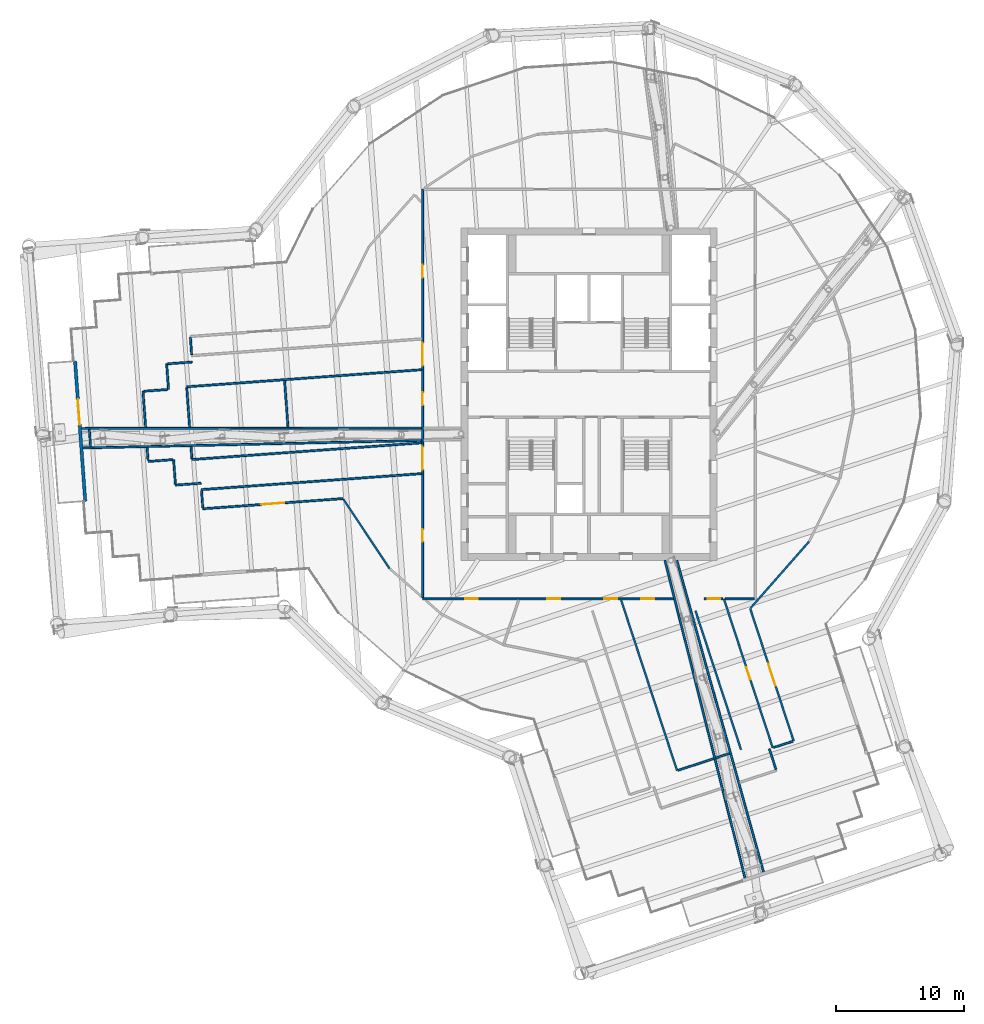
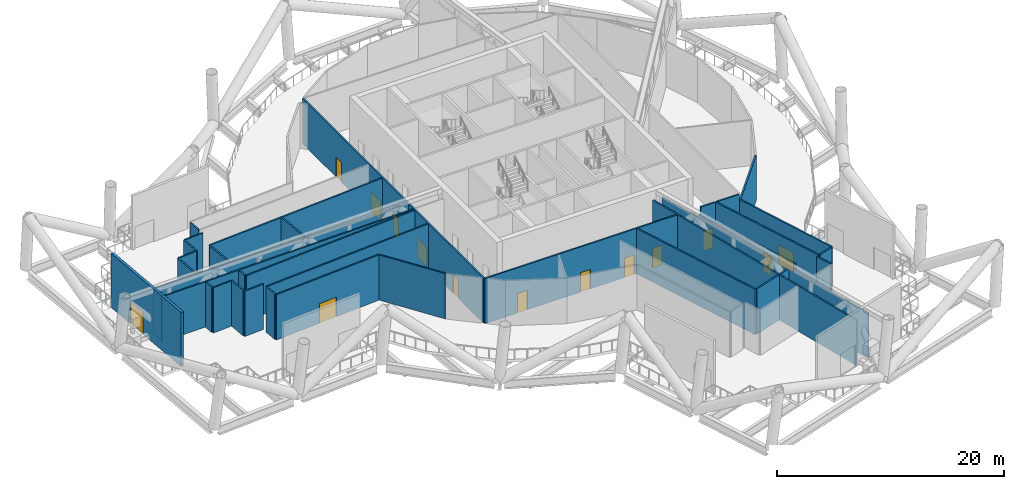
# One storey, part 10 of 33: 37 walls, 14 doors, 14 openings.
"""IFC4 building model written with IfcOpenShell, lengths in metres."""

from ifc_helpers import new_model, si_unit, direction, frame, frame_2d, origin, place, context, subcontext, project, spatial, rectangle, extrude, material, layer, layer_set, type_object, element, fill, save


model = new_model("IFC4")

# Units and contexts
model_context = context("Model", 3, precision=1e-05, world=origin(), true_north=direction((0.0, 1.0)))
body_context = subcontext(model_context, "Body", "Model", "MODEL_VIEW")
ifc_project = project(units=[si_unit("LENGTHUNIT", "METRE"), si_unit("AREAUNIT", "SQUARE_METRE"), si_unit("VOLUMEUNIT", "CUBIC_METRE"), si_unit("PLANEANGLEUNIT", "RADIAN"), si_unit("MASSUNIT", "GRAM", prefix="KILO")], contexts=[model_context])

# Site, building, storey
site_placement = place(None, origin())
site = spatial("IfcSite", under=ifc_project, at=site_placement, CompositionType="ELEMENT")
building_placement = place(site_placement, origin())
building = spatial("IfcBuilding", under=site, at=building_placement, Name="Tarsis Ring Headquarters", CompositionType="ELEMENT")
storey_placement = place(building_placement, frame((0.0, 0.0, 302.0)))
storey = spatial("IfcBuildingStorey", under=building, at=storey_placement, Name="L71", CompositionType="ELEMENT", Elevation=302.0)

# Wall, openings, doors
ifc_material_1 = material(Name="Gypsum board on steel studs", Category="steel")
ifc_layer_1 = layer(ifc_material_1, 0.14990234375)
ifc_layer_set_1 = layer_set([ifc_layer_1], Name="FL partition 150 EI 120 H4870")
wall_type_1 = type_object("IfcWallType", Name="FL partition 150 EI 120 H4870", PredefinedType="PARTITIONING", material=ifc_layer_set_1)
wall_1_placement = place(storey_placement, frame((-13.0, -15.90380859375, 0.0), z_axis=(0.0, 0.0, 1.0), x_axis=(0.0, 1.0, 0.0)))
wall_1 = element("IfcWall", 1, at=wall_1_placement, inside=storey, type_object=wall_type_1, Name="Partition PW2H487", PredefinedType="PARTITIONING", context=body_context, shape_type="SweptSolid", body=[
    extrude(rectangle(XDim=31.90283203125, YDim=0.14990234375, at=frame_2d((15.951416015625, 0.0))), origin(), (0.0, 0.0, 1.0), 4.8701171875),
])
opening_1_placement = place(wall_1_placement, frame((24.998291015625, 0.0, 0.0)))
opening_1 = element("IfcOpeningElement", 2, at=opening_1_placement, cuts=wall_1, Name="Opening D71.01", PredefinedType="OPENING", context=body_context, shape_type="SweptSolid", body=[
    extrude(rectangle(XDim=1.0, YDim=2.10009765625, at=frame_2d((0.5, 1.050048828125))), frame((0.0, 0.0849609375, 0.0), z_axis=(0.0, -1.0, 0.0), x_axis=(1.0, 0.0, 0.0)), (0.0, 0.0, 1.0), 0.169921875),
])
opening_2_placement = place(wall_1_placement, frame((15.033203125, 0.0, 0.0)))
opening_2 = element("IfcOpeningElement", 3, at=opening_2_placement, cuts=wall_1, Name="Opening D71.04", PredefinedType="OPENING", context=body_context, shape_type="SweptSolid", body=[
    extrude(rectangle(XDim=1.0, YDim=2.10009765625, at=frame_2d((0.5, 1.050048828125))), frame((0.0, 0.0849609375, 0.0), z_axis=(0.0, -1.0, 0.0), x_axis=(1.0, 0.0, 0.0)), (0.0, 0.0, 1.0), 0.169921875),
])
opening_3_placement = place(wall_1_placement, frame((4.34716796875, 0.0, 0.0)))
opening_3 = element("IfcOpeningElement", 4, at=opening_3_placement, cuts=wall_1, Name="Opening D71.05", PredefinedType="OPENING", context=body_context, shape_type="SweptSolid", body=[
    extrude(rectangle(XDim=1.0, YDim=2.10009765625, at=frame_2d((0.5, 1.050048828125))), frame((0.0, 0.0849609375, 0.0), z_axis=(0.0, -1.0, 0.0), x_axis=(1.0, 0.0, 0.0)), (0.0, 0.0, 1.0), 0.169921875),
])
opening_4_placement = place(wall_1_placement, frame((18.119140625, 0.0, 0.0)))
opening_4 = element("IfcOpeningElement", 5, at=opening_4_placement, cuts=wall_1, Name="Opening D71.14", PredefinedType="OPENING", context=body_context, shape_type="SweptSolid", body=[
    extrude(rectangle(XDim=1.800048828125, YDim=2.10009765625, at=frame_2d((0.89990234375, 1.050048828125))), frame((0.0, 0.0849609375, 0.0), z_axis=(0.0, -1.0, 0.0), x_axis=(1.0, 0.0, 0.0)), (0.0, 0.0, 1.0), 0.169921875),
])
opening_5_placement = place(wall_1_placement, frame((9.997802734375, 0.0, 0.0)))
opening_5 = element("IfcOpeningElement", 6, at=opening_5_placement, cuts=wall_1, Name="Opening D71.15", PredefinedType="OPENING", context=body_context, shape_type="SweptSolid", body=[
    extrude(rectangle(XDim=1.800048828125, YDim=2.10009765625, at=frame_2d((0.89990234375, 1.050048828125))), frame((0.0, 0.0849609375, 0.0), z_axis=(0.0, -1.0, 0.0), x_axis=(1.0, 0.0, 0.0)), (0.0, 0.0, 1.0), 0.169921875),
])
ifc_material_2 = material(Name="Fire-rated timber door leaf in steel frame", Category="steel")
door_type_1 = type_object("IfcDoorType", Name="FL door FD120-1000", OperationType="NOTDEFINED", PredefinedType="DOOR", material=ifc_material_2)
door_1_placement = place(opening_1_placement, origin())
door_1 = element("IfcDoor", 7, at=door_1_placement, inside=storey, type_object=door_type_1, Name="Door D71.01", OperationType="SINGLE_SWING_RIGHT", OverallHeight=2.10009765625, OverallWidth=1.0, PredefinedType="DOOR", context=body_context, shape_type="SweptSolid", body=[
    extrude(rectangle(XDim=1.0, YDim=2.10009765625, at=frame_2d((0.5, 1.050048828125))), frame((0.0, 0.02490234375, 0.0), z_axis=(0.0, -1.0, 0.0), x_axis=(1.0, 0.0, 0.0)), (0.0, 0.0, 1.0), 0.050048828125),
])
fill(opening_1, door_1)
door_2_placement = place(opening_2_placement, origin())
door_2 = element("IfcDoor", 8, at=door_2_placement, inside=storey, type_object=door_type_1, Name="Door D71.04", OperationType="SINGLE_SWING_LEFT", OverallHeight=2.10009765625, OverallWidth=1.0, PredefinedType="DOOR", context=body_context, shape_type="SweptSolid", body=[
    extrude(rectangle(XDim=1.0, YDim=2.10009765625, at=frame_2d((0.5, 1.050048828125))), frame((0.0, 0.02490234375, 0.0), z_axis=(0.0, -1.0, 0.0), x_axis=(1.0, 0.0, 0.0)), (0.0, 0.0, 1.0), 0.050048828125),
])
fill(opening_2, door_2)
door_3_placement = place(opening_3_placement, origin())
door_3 = element("IfcDoor", 9, at=door_3_placement, inside=storey, type_object=door_type_1, Name="Door D71.05", OperationType="SINGLE_SWING_RIGHT", OverallHeight=2.10009765625, OverallWidth=1.0, PredefinedType="DOOR", context=body_context, shape_type="SweptSolid", body=[
    extrude(rectangle(XDim=1.0, YDim=2.10009765625, at=frame_2d((0.5, 1.050048828125))), frame((0.0, 0.02490234375, 0.0), z_axis=(0.0, -1.0, 0.0), x_axis=(1.0, 0.0, 0.0)), (0.0, 0.0, 1.0), 0.050048828125),
])
fill(opening_3, door_3)
door_type_2 = type_object("IfcDoorType", Name="FL door FD120-1800", OperationType="DOUBLE_DOOR_SINGLE_SWING", PredefinedType="DOOR", material=ifc_material_2)
door_4_placement = place(opening_4_placement, origin())
door_4 = element("IfcDoor", 10, at=door_4_placement, inside=storey, type_object=door_type_2, Name="Door D71.14", OperationType="DOUBLE_DOOR_SINGLE_SWING", OverallHeight=2.10009765625, OverallWidth=1.800048828125, PredefinedType="DOOR", context=body_context, shape_type="SweptSolid", body=[
    extrude(rectangle(XDim=1.800048828125, YDim=2.10009765625, at=frame_2d((0.89990234375, 1.050048828125))), frame((0.0, 0.02490234375, 0.0), z_axis=(0.0, -1.0, 0.0), x_axis=(1.0, 0.0, 0.0)), (0.0, 0.0, 1.0), 0.050048828125),
])
fill(opening_4, door_4)
door_5_placement = place(opening_5_placement, origin())
door_5 = element("IfcDoor", 11, at=door_5_placement, inside=storey, type_object=door_type_2, Name="Door D71.15", OperationType="DOUBLE_DOOR_SINGLE_SWING", OverallHeight=2.10009765625, OverallWidth=1.800048828125, PredefinedType="DOOR", context=body_context, shape_type="SweptSolid", body=[
    extrude(rectangle(XDim=1.800048828125, YDim=2.10009765625, at=frame_2d((0.89990234375, 1.050048828125))), frame((0.0, 0.02490234375, 0.0), z_axis=(0.0, -1.0, 0.0), x_axis=(1.0, 0.0, 0.0)), (0.0, 0.0, 1.0), 0.050048828125),
])
fill(opening_5, door_5)

# Walls
wall_2_placement = place(storey_placement, frame((-39.857421875, -2.685791015625, 0.0), z_axis=(0.0, 0.0, 1.0), x_axis=(0.999999340375, 0.001148586298, 0.0)))
element("IfcWall", 12, at=wall_2_placement, inside=storey, type_object=wall_type_1, Name="Partition PW2H487", PredefinedType="PARTITIONING", context=body_context, shape_type="SweptSolid", body=[
    extrude(rectangle(XDim=26.7822265625, YDim=0.14990234375, at=frame_2d((13.39111328125, 0.0))), origin(), (0.0, 0.0, 1.0), 4.8701171875),
])
wall_3_placement = place(storey_placement, frame((-39.748779296875, -4.21484375, 0.0), z_axis=(0.0, 0.0, 1.0), x_axis=(0.999752721419, 0.022237266364, 0.0)))
element("IfcWall", 13, at=wall_3_placement, inside=storey, type_object=wall_type_1, Name="Partition PW2H487", PredefinedType="PARTITIONING", context=body_context, shape_type="SweptSolid", body=[
    extrude(rectangle(XDim=26.6787109375, YDim=0.14990234375, at=frame_2d((13.33935546875, 0.0))), origin(), (0.0, 0.0, 1.0), 4.8701171875),
])
wall_4_placement = place(storey_placement, frame((5.93701171875, -12.999755859375, 0.0), z_axis=(0.0, 0.0, 1.0), x_axis=(0.244393606147, -0.969676113594, 0.0)))
element("IfcWall", 14, at=wall_4_placement, inside=storey, type_object=wall_type_1, Name="Partition PW2H487", PredefinedType="PARTITIONING", context=body_context, shape_type="SweptSolid", body=[
    extrude(rectangle(XDim=25.810302734375, YDim=0.14990234375, at=frame_2d((12.9052734375, 0.0))), origin(), (0.0, 0.0, 1.0), 4.8701171875),
])
wall_5_placement = place(storey_placement, frame((6.871337890625, -12.998779296875, 0.0), z_axis=(0.0, 0.0, 1.0), x_axis=(0.267758495523, -0.963486060135, 0.0)))
element("IfcWall", 15, at=wall_5_placement, inside=storey, type_object=wall_type_1, Name="Partition PW2H487", PredefinedType="PARTITIONING", context=body_context, shape_type="SweptSolid", body=[
    extrude(rectangle(XDim=25.483642578125, YDim=0.14990234375, at=frame_2d((12.74169921875, 0.0))), origin(), (0.0, 0.0, 1.0), 4.8701171875),
])

# Wall, openings, doors
wall_6_placement = place(storey_placement, frame((-12.997802734375, -16.0, 0.0), z_axis=(0.0, 0.0, 1.0), x_axis=(1.0, 0.0, 0.0)))
wall_6 = element("IfcWall", 16, at=wall_6_placement, inside=storey, type_object=wall_type_1, Name="Partition PW2H487", PredefinedType="PARTITIONING", context=body_context, shape_type="SweptSolid", body=[
    extrude(rectangle(XDim=19.599853515625, YDim=0.14990234375, at=frame_2d((9.7998046875, 0.0))), origin(), (0.0, 0.0, 1.0), 4.8701171875),
])
opening_6_placement = place(wall_6_placement, frame((9.74560546875, 0.0, 0.0)))
opening_6 = element("IfcOpeningElement", 17, at=opening_6_placement, cuts=wall_6, Name="Opening D71.09", PredefinedType="OPENING", context=body_context, shape_type="SweptSolid", body=[
    extrude(rectangle(XDim=1.0, YDim=2.10009765625, at=frame_2d((0.5, 1.050048828125))), frame((0.0, 0.0849609375, 0.0), z_axis=(0.0, -1.0, 0.0), x_axis=(1.0, 0.0, 0.0)), (0.0, 0.0, 1.0), 0.169921875),
])
opening_7_placement = place(wall_6_placement, frame((3.32275390625, 0.0, 0.0)))
opening_7 = element("IfcOpeningElement", 18, at=opening_7_placement, cuts=wall_6, Name="Opening D71.10", PredefinedType="OPENING", context=body_context, shape_type="SweptSolid", body=[
    extrude(rectangle(XDim=1.0, YDim=2.10009765625, at=frame_2d((0.5, 1.050048828125))), frame((0.0, 0.0849609375, 0.0), z_axis=(0.0, -1.0, 0.0), x_axis=(1.0, 0.0, 0.0)), (0.0, 0.0, 1.0), 0.169921875),
])
opening_8_placement = place(wall_6_placement, frame((17.083984375, 0.0, 0.0)))
opening_8 = element("IfcOpeningElement", 19, at=opening_8_placement, cuts=wall_6, Name="Opening D71.11", PredefinedType="OPENING", context=body_context, shape_type="SweptSolid", body=[
    extrude(rectangle(XDim=1.0, YDim=2.10009765625, at=frame_2d((0.5, 1.050048828125))), frame((0.0, 0.0849609375, 0.0), z_axis=(0.0, -1.0, 0.0), x_axis=(1.0, 0.0, 0.0)), (0.0, 0.0, 1.0), 0.169921875),
])
opening_9_placement = place(wall_6_placement, frame((14.209716796875, 0.0, 0.0)))
opening_9 = element("IfcOpeningElement", 20, at=opening_9_placement, cuts=wall_6, Name="Opening D71.13", PredefinedType="OPENING", context=body_context, shape_type="SweptSolid", body=[
    extrude(rectangle(XDim=1.0, YDim=2.10009765625, at=frame_2d((0.5, 1.050048828125))), frame((0.0, 0.0849609375, 0.0), z_axis=(0.0, -1.0, 0.0), x_axis=(1.0, 0.0, 0.0)), (0.0, 0.0, 1.0), 0.169921875),
])
door_6_placement = place(opening_6_placement, origin())
door_6 = element("IfcDoor", 21, at=door_6_placement, inside=storey, type_object=door_type_1, Name="Door D71.09", OperationType="SINGLE_SWING_RIGHT", OverallHeight=2.10009765625, OverallWidth=1.0, PredefinedType="DOOR", context=body_context, shape_type="SweptSolid", body=[
    extrude(rectangle(XDim=1.0, YDim=2.10009765625, at=frame_2d((0.5, 1.050048828125))), frame((0.0, 0.02490234375, 0.0), z_axis=(0.0, -1.0, 0.0), x_axis=(1.0, 0.0, 0.0)), (0.0, 0.0, 1.0), 0.050048828125),
])
fill(opening_6, door_6)
door_7_placement = place(opening_7_placement, origin())
door_7 = element("IfcDoor", 22, at=door_7_placement, inside=storey, type_object=door_type_1, Name="Door D71.10", OperationType="SINGLE_SWING_LEFT", OverallHeight=2.10009765625, OverallWidth=1.0, PredefinedType="DOOR", context=body_context, shape_type="SweptSolid", body=[
    extrude(rectangle(XDim=1.0, YDim=2.10009765625, at=frame_2d((0.5, 1.050048828125))), frame((0.0, 0.02490234375, 0.0), z_axis=(0.0, -1.0, 0.0), x_axis=(1.0, 0.0, 0.0)), (0.0, 0.0, 1.0), 0.050048828125),
])
fill(opening_7, door_7)
door_8_placement = place(opening_8_placement, origin())
door_8 = element("IfcDoor", 23, at=door_8_placement, inside=storey, type_object=door_type_1, Name="Door D71.11", OperationType="SINGLE_SWING_RIGHT", OverallHeight=2.10009765625, OverallWidth=1.0, PredefinedType="DOOR", context=body_context, shape_type="SweptSolid", body=[
    extrude(rectangle(XDim=1.0, YDim=2.10009765625, at=frame_2d((0.5, 1.050048828125))), frame((0.0, 0.02490234375, 0.0), z_axis=(0.0, -1.0, 0.0), x_axis=(1.0, 0.0, 0.0)), (0.0, 0.0, 1.0), 0.050048828125),
])
fill(opening_8, door_8)
door_9_placement = place(opening_9_placement, origin())
door_9 = element("IfcDoor", 24, at=door_9_placement, inside=storey, type_object=door_type_1, Name="Door D71.13", OperationType="SINGLE_SWING_RIGHT", OverallHeight=2.10009765625, OverallWidth=1.0, PredefinedType="DOOR", context=body_context, shape_type="SweptSolid", body=[
    extrude(rectangle(XDim=1.0, YDim=2.10009765625, at=frame_2d((0.5, 1.050048828125))), frame((0.0, 0.02490234375, 0.0), z_axis=(0.0, -1.0, 0.0), x_axis=(1.0, 0.0, 0.0)), (0.0, 0.0, 1.0), 0.050048828125),
])
fill(opening_9, door_9)

# Walls
wall_7_placement = place(storey_placement, frame((-31.442138671875, 0.570556640625, 0.0), z_axis=(0.0, 0.0, 1.0), x_axis=(0.997364822639, 0.072549366386, 0.0)))
element("IfcWall", 25, at=wall_7_placement, inside=storey, type_object=wall_type_1, Name="Partition PW2H487", PredefinedType="PARTITIONING", context=body_context, shape_type="SweptSolid", body=[
    extrude(rectangle(XDim=18.410888671875, YDim=0.14990234375, at=frame_2d((9.20556640625, 0.0))), origin(), (0.0, 0.0, 1.0), 4.8701171875),
])
wall_8_placement = place(storey_placement, frame((-31.02880859375, -5.114501953125, 0.0), z_axis=(0.0, 0.0, 1.0), x_axis=(0.997364674804, 0.072551398698, 0.0)))
element("IfcWall", 26, at=wall_8_placement, inside=storey, type_object=wall_type_1, Name="Partition PW2H487", PredefinedType="PARTITIONING", context=body_context, shape_type="SweptSolid", body=[
    extrude(rectangle(XDim=17.996337890625, YDim=0.14990234375, at=frame_2d((8.998046875, 0.0))), origin(), (0.0, 0.0, 1.0), 4.8701171875),
])
wall_9_placement = place(storey_placement, frame((-30.2880859375, -7.466796875, 0.0), z_axis=(0.0, 0.0, 1.0), x_axis=(0.997364979337, 0.072547212159, 0.0)))
element("IfcWall", 27, at=wall_9_placement, inside=storey, type_object=wall_type_1, Name="Partition PW2H487", PredefinedType="PARTITIONING", context=body_context, shape_type="SweptSolid", body=[
    extrude(rectangle(XDim=17.253662109375, YDim=0.14990234375, at=frame_2d((8.626953125, 0.0))), origin(), (0.0, 0.0, 1.0), 4.8701171875),
])
wall_10_placement = place(storey_placement, frame((2.511474609375, -16.094970703125, 0.0), z_axis=(0.0, 0.0, 1.0), x_axis=(0.311673238964, -0.950189345401, 0.0)))
element("IfcWall", 28, at=wall_10_placement, inside=storey, type_object=wall_type_1, Name="Partition PW2H487", PredefinedType="PARTITIONING", context=body_context, shape_type="SweptSolid", body=[
    extrude(rectangle(XDim=14.033935546875, YDim=0.14990234375, at=frame_2d((7.01708984375, 0.0))), origin(), (0.0, 0.0, 1.0), 4.8701171875),
])

# Wall, opening, door
wall_11_placement = place(storey_placement, frame((10.541748046875, -16.0, 0.0), z_axis=(0.0, 0.0, 1.0), x_axis=(0.311672391121, -0.950189623503, 0.0)))
wall_11 = element("IfcWall", 29, at=wall_11_placement, inside=storey, type_object=wall_type_1, Name="Partition PW2H487", PredefinedType="PARTITIONING", context=body_context, shape_type="SweptSolid", body=[
    extrude(rectangle(XDim=12.261474609375, YDim=0.14990234375, at=frame_2d((6.130859375, 0.0))), origin(), (0.0, 0.0, 1.0), 4.8701171875),
])
opening_10_placement = place(wall_11_placement, frame((5.630615234375, 0.0, 0.0)))
opening_10 = element("IfcOpeningElement", 30, at=opening_10_placement, cuts=wall_11, Name="Opening D71.08", PredefinedType="OPENING", context=body_context, shape_type="SweptSolid", body=[
    extrude(rectangle(XDim=1.0, YDim=2.10009765625, at=frame_2d((0.5, 1.050048828125))), frame((0.0, 0.0849609375, 0.0), z_axis=(0.0, -1.0, 0.0), x_axis=(1.0, 0.0, 0.0)), (0.0, 0.0, 1.0), 0.169921875),
])
door_10_placement = place(opening_10_placement, origin())
door_10 = element("IfcDoor", 31, at=door_10_placement, inside=storey, type_object=door_type_1, Name="Door D71.08", OperationType="SINGLE_SWING_LEFT", OverallHeight=2.10009765625, OverallWidth=1.0, PredefinedType="DOOR", context=body_context, shape_type="SweptSolid", body=[
    extrude(rectangle(XDim=1.0, YDim=2.10009765625, at=frame_2d((0.5, 1.050048828125))), frame((0.0, 0.02490234375, 0.0), z_axis=(0.0, -1.0, 0.0), x_axis=(1.0, 0.0, 0.0)), (0.0, 0.0, 1.0), 0.050048828125),
])
fill(opening_10, door_10)

# Wall
wall_12_placement = place(storey_placement, frame((8.32421875, -16.939697265625, 0.0), z_axis=(0.0, 0.0, 1.0), x_axis=(0.311676005805, -0.95018843784, 0.0)))
element("IfcWall", 32, at=wall_12_placement, inside=storey, type_object=wall_type_1, Name="Partition PW2H487", PredefinedType="PARTITIONING", context=body_context, shape_type="SweptSolid", body=[
    extrude(rectangle(XDim=11.417724609375, YDim=0.14990234375, at=frame_2d((5.708984375, 0.0))), origin(), (0.0, 0.0, 1.0), 4.8701171875),
])

# Wall, opening, door
wall_13_placement = place(storey_placement, frame((-30.17919921875, -8.962890625, 0.0), z_axis=(0.0, 0.0, 1.0), x_axis=(0.997364647326, 0.07255177644, 0.0)))
wall_13 = element("IfcWall", 33, at=wall_13_placement, inside=storey, type_object=wall_type_1, Name="Partition PW2H487", PredefinedType="PARTITIONING", context=body_context, shape_type="SweptSolid", body=[
    extrude(rectangle(XDim=10.983642578125, YDim=0.14990234375, at=frame_2d((5.49169921875, 0.0))), origin(), (0.0, 0.0, 1.0), 4.8701171875),
])
opening_11_placement = place(wall_13_placement, frame((4.591552734375, 0.0, 0.0)))
opening_11 = element("IfcOpeningElement", 34, at=opening_11_placement, cuts=wall_13, Name="Opening D71.18", PredefinedType="OPENING", context=body_context, shape_type="SweptSolid", body=[
    extrude(rectangle(XDim=1.800048828125, YDim=2.10009765625, at=frame_2d((0.89990234375, 1.050048828125))), frame((0.0, 0.0849609375, 0.0), z_axis=(0.0, -1.0, 0.0), x_axis=(1.0, 0.0, 0.0)), (0.0, 0.0, 1.0), 0.169921875),
])
door_11_placement = place(opening_11_placement, origin())
door_11 = element("IfcDoor", 35, at=door_11_placement, inside=storey, type_object=door_type_2, Name="Door D71.18", OperationType="DOUBLE_DOOR_SINGLE_SWING", OverallHeight=2.10009765625, OverallWidth=1.800048828125, PredefinedType="DOOR", context=body_context, shape_type="SweptSolid", body=[
    extrude(rectangle(XDim=1.800048828125, YDim=2.10009765625, at=frame_2d((0.89990234375, 1.050048828125))), frame((0.0, 0.02490234375, 0.0), z_axis=(0.0, -1.0, 0.0), x_axis=(1.0, 0.0, 0.0)), (0.0, 0.0, 1.0), 0.050048828125),
])
fill(opening_11, door_11)

wall_14_placement = place(storey_placement, frame((12.599853515625, -16.755615234375, 0.0), z_axis=(0.0, 0.0, 1.0), x_axis=(0.311682596914, -0.950186275833, 0.0)))
wall_14 = element("IfcWall", 36, at=wall_14_placement, inside=storey, type_object=wall_type_1, Name="Partition PW2H487", PredefinedType="PARTITIONING", context=body_context, shape_type="SweptSolid", body=[
    extrude(rectangle(XDim=10.90185546875, YDim=0.14990234375, at=frame_2d((5.450927734375, 0.0))), origin(), (0.0, 0.0, 1.0), 4.8701171875),
])
opening_12_placement = place(wall_14_placement, frame((4.551025390625, 0.0, 0.0)))
opening_12 = element("IfcOpeningElement", 37, at=opening_12_placement, cuts=wall_14, Name="Opening D71.16", PredefinedType="OPENING", context=body_context, shape_type="SweptSolid", body=[
    extrude(rectangle(XDim=1.800048828125, YDim=2.10009765625, at=frame_2d((0.89990234375, 1.050048828125))), frame((0.0, 0.0849609375, 0.0), z_axis=(0.0, -1.0, 0.0), x_axis=(1.0, 0.0, 0.0)), (0.0, 0.0, 1.0), 0.169921875),
])
door_12_placement = place(opening_12_placement, origin())
door_12 = element("IfcDoor", 38, at=door_12_placement, inside=storey, type_object=door_type_2, Name="Door D71.16", OperationType="DOUBLE_DOOR_SINGLE_SWING", OverallHeight=2.10009765625, OverallWidth=1.800048828125, PredefinedType="DOOR", context=body_context, shape_type="SweptSolid", body=[
    extrude(rectangle(XDim=1.800048828125, YDim=2.10009765625, at=frame_2d((0.89990234375, 1.050048828125))), frame((0.0, 0.02490234375, 0.0), z_axis=(0.0, -1.0, 0.0), x_axis=(1.0, 0.0, 0.0)), (0.0, 0.0, 1.0), 0.050048828125),
])
fill(opening_12, door_12)

# Walls
wall_15_placement = place(storey_placement, frame((12.641357421875, -16.71240234375, 0.0), z_axis=(0.0, 0.0, 1.0), x_axis=(0.660501074136, 0.750825100183, 0.0)))
element("IfcWall", 39, at=wall_15_placement, inside=storey, type_object=wall_type_1, Name="Partition PW2H487", PredefinedType="PARTITIONING", context=body_context, shape_type="SweptSolid", body=[
    extrude(rectangle(XDim=6.900634765625, YDim=0.14990234375, at=frame_2d((3.4501953125, 0.0))), origin(), (0.0, 0.0, 1.0), 4.8701171875),
])
wall_16_placement = place(storey_placement, frame((-19.193359375, -8.21728515625, 0.0), z_axis=(0.0, 0.0, 1.0), x_axis=(0.554266829245, -0.832339042698, 0.0)))
element("IfcWall", 40, at=wall_16_placement, inside=storey, type_object=wall_type_1, Name="Partition PW2H487", PredefinedType="PARTITIONING", context=body_context, shape_type="SweptSolid", body=[
    extrude(rectangle(XDim=6.50146484375, YDim=0.14990234375, at=frame_2d((3.250732421875, 0.0))), origin(), (0.0, 0.0, 1.0), 4.8701171875),
])
wall_17_placement = place(storey_placement, frame((6.96142578125, -29.405029296875, 0.0), z_axis=(0.0, 0.0, 1.0), x_axis=(0.950190480669, 0.311669777883, 0.0)))
element("IfcWall", 41, at=wall_17_placement, inside=storey, type_object=wall_type_1, Name="Partition PW2H487", PredefinedType="PARTITIONING", context=body_context, shape_type="SweptSolid", body=[
    extrude(rectangle(XDim=2.94287109375, YDim=0.14990234375, at=frame_2d((1.471435546875, 0.0))), origin(), (0.0, 0.0, 1.0), 4.8701171875),
])
wall_18_placement = place(storey_placement, frame((9.91064453125, -28.4375, 0.0), z_axis=(0.0, 0.0, 1.0), x_axis=(0.950192642581, 0.311663186766, 0.0)))
element("IfcWall", 42, at=wall_18_placement, inside=storey, type_object=wall_type_1, Name="Partition PW2H487", PredefinedType="PARTITIONING", context=body_context, shape_type="SweptSolid", body=[
    extrude(rectangle(XDim=1.1240234375, YDim=0.14990234375, at=frame_2d((0.56201171875, 0.0))), origin(), (0.0, 0.0, 1.0), 4.8701171875),
])

# Wall, opening, door
wall_19_placement = place(storey_placement, frame((9.0048828125, -16.0, 0.0), z_axis=(0.0, 0.0, 1.0), x_axis=(1.0, 0.0, 0.0)))
wall_19 = element("IfcWall", 43, at=wall_19_placement, inside=storey, type_object=wall_type_1, Name="Partition PW2H487", PredefinedType="PARTITIONING", context=body_context, shape_type="SweptSolid", body=[
    extrude(rectangle(XDim=1.4658203125, YDim=0.14990234375, at=frame_2d((0.73291015625, 0.0))), origin(), (0.0, 0.0, 1.0), 4.8701171875),
])
opening_13_placement = place(wall_19_placement, frame((0.268310546875, 0.0, 0.0)))
opening_13 = element("IfcOpeningElement", 44, at=opening_13_placement, cuts=wall_19, Name="Opening D71.12", PredefinedType="OPENING", context=body_context, shape_type="SweptSolid", body=[
    extrude(rectangle(XDim=1.0, YDim=2.10009765625, at=frame_2d((0.5, 1.050048828125))), frame((0.0, 0.0849609375, 0.0), z_axis=(0.0, -1.0, 0.0), x_axis=(1.0, 0.0, 0.0)), (0.0, 0.0, 1.0), 0.169921875),
])
door_13_placement = place(opening_13_placement, origin())
door_13 = element("IfcDoor", 45, at=door_13_placement, inside=storey, type_object=door_type_1, Name="Door D71.12", OperationType="SINGLE_SWING_LEFT", OverallHeight=2.10009765625, OverallWidth=1.0, PredefinedType="DOOR", context=body_context, shape_type="SweptSolid", body=[
    extrude(rectangle(XDim=1.0, YDim=2.10009765625, at=frame_2d((0.5, 1.050048828125))), frame((0.0, 0.02490234375, 0.0), z_axis=(0.0, -1.0, 0.0), x_axis=(1.0, 0.0, 0.0)), (0.0, 0.0, 1.0), 0.050048828125),
])
fill(opening_13, door_13)

# Walls
wall_20_placement = place(storey_placement, frame((10.6455078125, -16.0, 0.0), z_axis=(0.0, 0.0, 1.0), x_axis=(1.0, 0.0, 0.0)))
element("IfcWall", 46, at=wall_20_placement, inside=storey, type_object=wall_type_1, Name="Partition PW2H487", PredefinedType="PARTITIONING", context=body_context, shape_type="SweptSolid", body=[
    extrude(rectangle(XDim=2.2744140625, YDim=0.14990234375, at=frame_2d((1.13720703125, 0.0))), origin(), (0.0, 0.0, 1.0), 4.8701171875),
])
wall_21_placement = place(storey_placement, frame((-23.78857421875, 1.047119140625, 0.0), z_axis=(0.0, 0.0, 1.0), x_axis=(0.072523573106, -0.997366698534, 0.0)))
element("IfcWall", 47, at=wall_21_placement, inside=storey, type_object=wall_type_1, Name="Partition PW2H487", PredefinedType="PARTITIONING", context=body_context, shape_type="SweptSolid", body=[
    extrude(rectangle(XDim=3.642333984375, YDim=0.14990234375, at=frame_2d((1.8212890625, 0.0))), origin(), (0.0, 0.0, 1.0), 4.8701171875),
])
wall_22_placement = place(storey_placement, frame((-31.438232421875, 0.488525390625, 0.0), z_axis=(0.0, 0.0, 1.0), x_axis=(0.072504269689, -0.997368101995, 0.0)))
element("IfcWall", 48, at=wall_22_placement, inside=storey, type_object=wall_type_1, Name="Partition PW2H487", PredefinedType="PARTITIONING", context=body_context, shape_type="SweptSolid", body=[
    extrude(rectangle(XDim=3.091064453125, YDim=0.14990234375, at=frame_2d((1.54541015625, 0.0))), origin(), (0.0, 0.0, 1.0), 4.8701171875),
])
wall_23_placement = place(storey_placement, frame((-34.85791015625, 0.2197265625, 0.0), z_axis=(0.0, 0.0, 1.0), x_axis=(0.072579451818, -0.997362633736, 0.0)))
element("IfcWall", 49, at=wall_23_placement, inside=storey, type_object=wall_type_1, Name="Partition PW2H487", PredefinedType="PARTITIONING", context=body_context, shape_type="SweptSolid", body=[
    extrude(rectangle(XDim=2.82568359375, YDim=0.14990234375, at=frame_2d((1.412841796875, 0.0))), origin(), (0.0, 0.0, 1.0), 4.8701171875),
])
wall_24_placement = place(storey_placement, frame((14.439208984375, -27.62548828125, 0.0), z_axis=(0.0, 0.0, 1.0), x_axis=(0.950188569095, 0.311675605655, 0.0)))
element("IfcWall", 50, at=wall_24_placement, inside=storey, type_object=wall_type_1, Name="Partition PW2H487", PredefinedType="PARTITIONING", context=body_context, shape_type="SweptSolid", body=[
    extrude(rectangle(XDim=1.56201171875, YDim=0.14990234375, at=frame_2d((0.781005859375, 0.0))), origin(), (0.0, 0.0, 1.0), 4.8701171875),
])
wall_25_placement = place(storey_placement, frame((-31.15283203125, 4.421630859375, 0.0), z_axis=(0.0, 0.0, 1.0), x_axis=(0.072529103955, -0.997366296342, 0.0)))
element("IfcWall", 51, at=wall_25_placement, inside=storey, type_object=wall_type_1, Name="Partition PW2H487", PredefinedType="PARTITIONING", context=body_context, shape_type="SweptSolid", body=[
    extrude(rectangle(XDim=1.339599609375, YDim=0.14990234375, at=frame_2d((0.669921875, 0.0))), origin(), (0.0, 0.0, 1.0), 4.8701171875),
])
wall_26_placement = place(storey_placement, frame((-33.00830078125, 2.36181640625, 0.0), z_axis=(0.0, 0.0, 1.0), x_axis=(0.072513616761, -0.99736742246, 0.0)))
element("IfcWall", 52, at=wall_26_placement, inside=storey, type_object=wall_type_1, Name="Partition PW2H487", PredefinedType="PARTITIONING", context=body_context, shape_type="SweptSolid", body=[
    extrude(rectangle(XDim=2.0, YDim=0.14990234375, at=frame_2d((1.0, 0.0))), origin(), (0.0, 0.0, 1.0), 4.8701171875),
])
wall_27_placement = place(storey_placement, frame((-32.319091796875, -7.11328125, 0.0), z_axis=(0.0, 0.0, 1.0), x_axis=(0.997366780435, 0.07252244676, 0.0)))
element("IfcWall", 53, at=wall_27_placement, inside=storey, type_object=wall_type_1, Name="Partition PW2H487", PredefinedType="PARTITIONING", context=body_context, shape_type="SweptSolid", body=[
    extrude(rectangle(XDim=1.999755859375, YDim=0.14990234375, at=frame_2d((1.0, 0.0))), origin(), (0.0, 0.0, 1.0), 4.8701171875),
])
wall_28_placement = place(storey_placement, frame((-30.2822265625, -7.548583984375, 0.0), z_axis=(0.0, 0.0, 1.0), x_axis=(0.072621498368, -0.99735957306, 0.0)))
element("IfcWall", 54, at=wall_28_placement, inside=storey, type_object=wall_type_1, Name="Partition PW2H487", PredefinedType="PARTITIONING", context=body_context, shape_type="SweptSolid", body=[
    extrude(rectangle(XDim=1.337890625, YDim=0.14990234375, at=frame_2d((0.6689453125, 0.0))), origin(), (0.0, 0.0, 1.0), 4.8701171875),
])
for number, where, z_axis, x_axis, name in (
    (55, (-32.464111328125, -5.12060546875, 0.0), (0.0, 0.0, 1.0), (0.072558718712, -0.997364142297, 0.0), "Partition PW2H487"),
    (56, (-32.928466796875, 2.367431640625, 0.0), (0.0, 0.0, 1.0), (0.997364142297, 0.072558718712, 0.0), "Partition PW2H487"),
):
    element("IfcWall", number, at=place(storey_placement, frame(where, z_axis=z_axis, x_axis=x_axis)), inside=storey, type_object=wall_type_1, Name=name, PredefinedType="PARTITIONING", context=body_context, shape_type="SweptSolid", body=[
        extrude(rectangle(XDim=1.91796875, YDim=0.14990234375, at=frame_2d((0.958984375, 0.0))), origin(), (0.0, 0.0, 1.0), 4.8701171875),
    ])
wall_29_placement = place(storey_placement, frame((-34.77587890625, 0.225830078125, 0.0), z_axis=(0.0, 0.0, 1.0), x_axis=(0.997356548092, 0.072663030342, 0.0)))
element("IfcWall", 57, at=wall_29_placement, inside=storey, type_object=wall_type_1, Name="Partition PW2H487", PredefinedType="PARTITIONING", context=body_context, shape_type="SweptSolid", body=[
    extrude(rectangle(XDim=1.837890625, YDim=0.14990234375, at=frame_2d((0.9189453125, 0.0))), origin(), (0.0, 0.0, 1.0), 4.8701171875),
])
wall_30_placement = place(storey_placement, frame((-34.456787109375, -5.263427734375, 0.0), z_axis=(0.0, 0.0, 1.0), x_axis=(0.997363471985, 0.072567931967, 0.0)))
element("IfcWall", 58, at=wall_30_placement, inside=storey, type_object=wall_type_1, Name="Partition PW2H487", PredefinedType="PARTITIONING", context=body_context, shape_type="SweptSolid", body=[
    extrude(rectangle(XDim=1.917724609375, YDim=0.14990234375, at=frame_2d((0.958984375, 0.0))), origin(), (0.0, 0.0, 1.0), 4.8701171875),
])
wall_31_placement = place(storey_placement, frame((14.097412109375, -27.738037109375, 0.0), z_axis=(0.0, 0.0, 1.0), x_axis=(0.311645338361, -0.950198496672, 0.0)))
element("IfcWall", 59, at=wall_31_placement, inside=storey, type_object=wall_type_1, Name="Partition PW2H487", PredefinedType="PARTITIONING", context=body_context, shape_type="SweptSolid", body=[
    extrude(rectangle(XDim=1.6796875, YDim=0.14990234375, at=frame_2d((0.83984375, 0.0))), origin(), (0.0, 0.0, 1.0), 4.8701171875),
])
wall_32_placement = place(storey_placement, frame((-39.052490234375, -2.76318359375, 0.0), z_axis=(0.0, 0.0, 1.0), x_axis=(0.072643280081, -0.997357986813, 0.0)))
element("IfcWall", 60, at=wall_32_placement, inside=storey, type_object=wall_type_1, Name="Partition PW2H487", PredefinedType="PARTITIONING", context=body_context, shape_type="SweptSolid", body=[
    extrude(rectangle(XDim=1.3544921875, YDim=0.14990234375, at=frame_2d((0.67724609375, 0.0))), origin(), (0.0, 0.0, 1.0), 4.8701171875),
])
wall_33_placement = place(storey_placement, frame((-34.537841796875, -4.17578125, 0.0), z_axis=(0.0, 0.0, 1.0), x_axis=(0.07262326054, -0.997359444748, 0.0)))
element("IfcWall", 61, at=wall_33_placement, inside=storey, type_object=wall_type_1, Name="Partition PW2H487", PredefinedType="PARTITIONING", context=body_context, shape_type="SweptSolid", body=[
    extrude(rectangle(XDim=1.008544921875, YDim=0.14990234375, at=frame_2d((0.50439453125, 0.0))), origin(), (0.0, 0.0, 1.0), 4.8701171875),
])
wall_34_placement = place(storey_placement, frame((-31.1044921875, -4.099609375, 0.0), z_axis=(0.0, 0.0, 1.0), x_axis=(0.072545135075, -0.99736513042, 0.0)))
element("IfcWall", 62, at=wall_34_placement, inside=storey, type_object=wall_type_1, Name="Partition PW2H487", PredefinedType="PARTITIONING", context=body_context, shape_type="SweptSolid", body=[
    extrude(rectangle(XDim=0.935546875, YDim=0.14990234375, at=frame_2d((0.4677734375, 0.0))), origin(), (0.0, 0.0, 1.0), 4.8701171875),
])

# Wall, opening, door
ifc_material_3 = material(Name="Terracotta clad insulated panel wall", Category="masonry")
ifc_layer_2 = layer(ifc_material_3, 0.25)
ifc_layer_set_2 = layer_set([ifc_layer_2], Name="Facade wall terracotta panel 250")
wall_type_2 = type_object("IfcWallType", Name="Facade wall terracotta panel 250", PredefinedType="STANDARD", material=ifc_layer_set_2)
wall_35_placement = place(storey_placement, frame((-40.1689453125, 2.593017578125, 0.0), z_axis=(0.0, 0.0, 1.0), x_axis=(0.072552956329, -0.997364561496, 0.0)))
wall_35 = element("IfcWall", 63, at=wall_35_placement, inside=storey, type_object=wall_type_2, Name="External wall L71-06", PredefinedType="STANDARD", context=body_context, shape_type="SweptSolid", body=[
    extrude(rectangle(XDim=11.000244140625, YDim=0.25, at=frame_2d((5.5, 0.0))), origin(), (0.0, 0.0, 1.0), 5.840087890625),
])
opening_14_placement = place(wall_35_placement, frame((3.0, 0.0, 0.0)))
opening_14 = element("IfcOpeningElement", 64, at=opening_14_placement, cuts=wall_35, Name="Opening L71-BD10", PredefinedType="OPENING", context=body_context, shape_type="SweptSolid", body=[
    extrude(rectangle(XDim=2.0, YDim=2.39990234375, at=frame_2d((1.0, 1.199951171875))), frame((0.0, 0.135009765625, 0.0), z_axis=(0.0, -1.0, 0.0), x_axis=(1.0, 0.0, 0.0)), (0.0, 0.0, 1.0), 0.27001953125),
])
ifc_material_4 = material(Name="Aluminium framed double glazing", Category="aluminium")
door_type_3 = type_object("IfcDoorType", Name="Balcony sliding door 2000 x 2400", OperationType="SLIDING_TO_LEFT", PredefinedType="DOOR", material=ifc_material_4)
door_14_placement = place(opening_14_placement, origin())
door_14 = element("IfcDoor", 65, at=door_14_placement, inside=storey, type_object=door_type_3, Name="Door L71-BD10", OperationType="SINGLE_SWING_LEFT", OverallHeight=2.39990234375, OverallWidth=2.0, PredefinedType="DOOR", context=body_context, shape_type="SweptSolid", body=[
    extrude(rectangle(XDim=2.0, YDim=2.39990234375, at=frame_2d((1.0, 1.199951171875))), frame((0.0, 0.02490234375, 0.0), z_axis=(0.0, -1.0, 0.0), x_axis=(1.0, 0.0, 0.0)), (0.0, 0.0, 1.0), 0.050048828125),
])
fill(opening_14, door_14)

save(model, "model.ifc")
